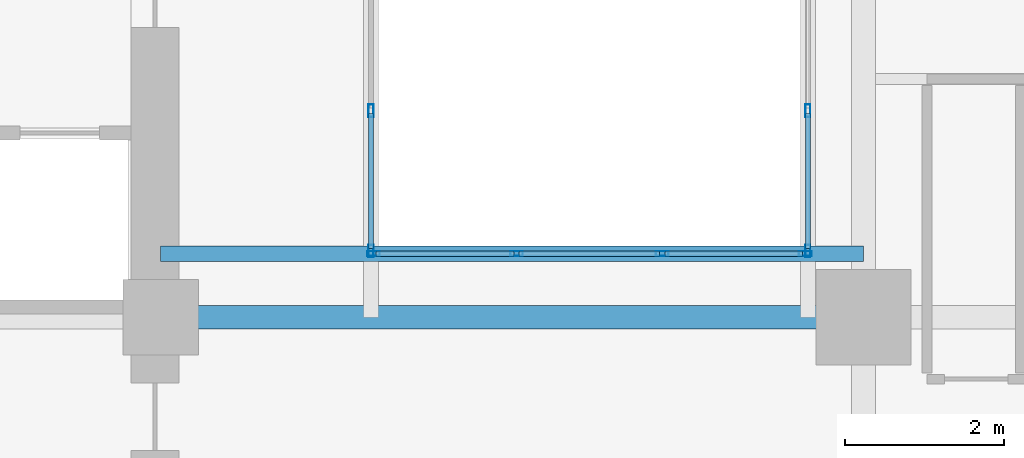
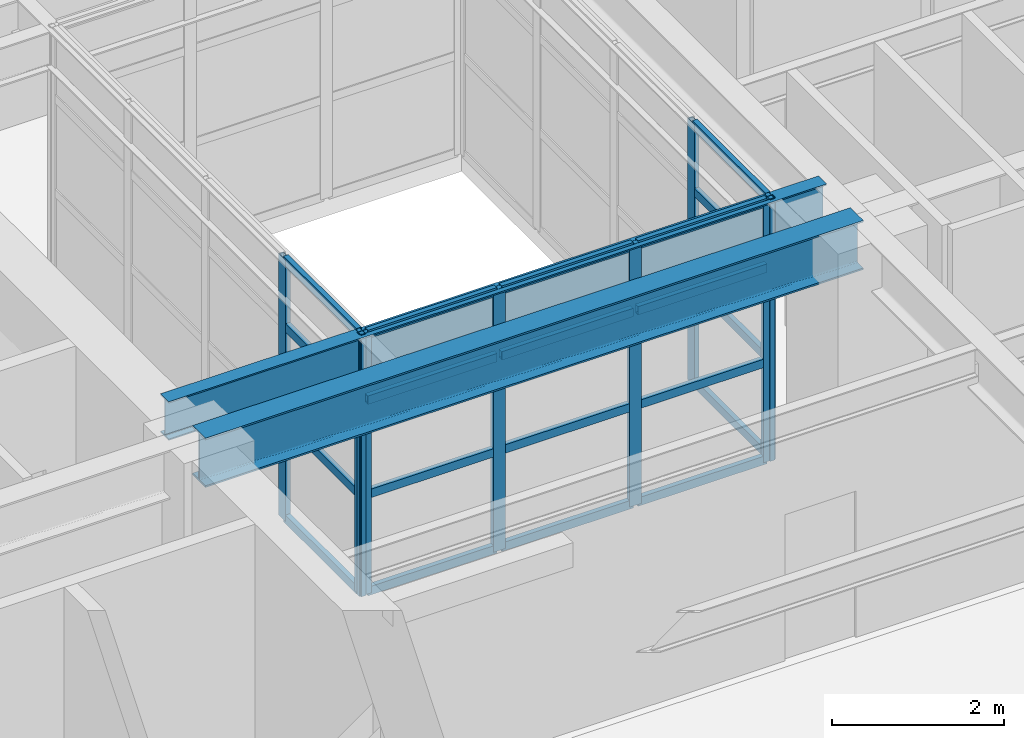
# One storey, part 2 of 17: 28 members, 2 beams, 3 elements without a shape of their own.
"""IFC4 building model written with IfcOpenShell, lengths in metres."""

from ifc_helpers import new_model, si_unit, direction, frame, origin, origin_2d, place, context, subcontext, project, spatial, hollow_rectangle, i_section, extrude, material, layer, layer_set, material_profile, profile_set, type_object, element, aggregate, save


model = new_model("IFC4")

# Units and contexts
model_context = context("Model", 3, precision=1e-05, world=origin(), true_north=direction((0.0, 1.0)))
body_context = subcontext(model_context, "Body", "Model", "MODEL_VIEW")
ifc_project = project(units=[si_unit("LENGTHUNIT", "METRE"), si_unit("AREAUNIT", "SQUARE_METRE"), si_unit("VOLUMEUNIT", "CUBIC_METRE"), si_unit("PLANEANGLEUNIT", "RADIAN"), si_unit("MASSUNIT", "GRAM", prefix="KILO")], contexts=[model_context])

# Site, building, storey
site_placement = place(None, origin())
site = spatial("IfcSite", under=ifc_project, at=site_placement, CompositionType="ELEMENT")
building_placement = place(site_placement, origin())
building = spatial("IfcBuilding", under=site, at=building_placement, Name="Kundavana Baori Tower", CompositionType="ELEMENT")
storey_placement = place(building_placement, frame((0.0, 0.0, 30.0)))
storey = spatial("IfcBuildingStorey", under=building, at=storey_placement, Name="L06", CompositionType="ELEMENT", Elevation=30.0)

# Beams
ifc_material_1 = material(Name="Structural Steel S355JR", Category="steel")
ifc_material_profile_1 = material_profile(ifc_material_1, i_section(OverallWidth=0.18994140625, OverallDepth=0.550048828125, WebThickness=0.01123046875, FlangeThickness=0.019287109375, FilletRadius=0.01806640625, at=origin_2d()), Name="ISMB 550")
ifc_profile_set_1 = profile_set([ifc_material_profile_1], Name="Structural Steel S355JR")
beam_type_1 = type_object("IfcBeamType", Name="BM-ST-550", PredefinedType="BEAM", material=ifc_profile_set_1)
beam_1_placement = place(storey_placement, frame((24.949951171875, 25.0, 3.445068359375), z_axis=(1.0, 0.0, 0.0), x_axis=(0.0, 1.0, 0.0)))
element("IfcBeam", 1, at=beam_1_placement, inside=storey, type_object=beam_type_1, Name="L06 Atrium South Edge Beam", PredefinedType="BEAM", context=body_context, shape_type="SweptSolid", body=[
    extrude(i_section(OverallWidth=0.18994140625, OverallDepth=0.550048828125, WebThickness=0.01123046875, FlangeThickness=0.019287109375, FilletRadius=0.01806640625, at=origin_2d()), origin(), (0.0, 0.0, 1.0), 8.85009765625),
])
ifc_material_2 = material(Name="Structural Steel S355JR", Category="steel")
ifc_material_profile_2 = material_profile(ifc_material_2, i_section(OverallWidth=0.300048828125, OverallDepth=0.699951171875, WebThickness=0.014404296875, FlangeThickness=0.02392578125, FilletRadius=0.02392578125, at=origin_2d()), Name="NPB 700x300x170")
ifc_profile_set_2 = profile_set([ifc_material_profile_2], Name="Structural Steel S355JR")
beam_type_2 = type_object("IfcBeamType", Name="BM-ST-700", PredefinedType="BEAM", material=ifc_profile_set_2)
beam_2_placement = place(storey_placement, frame((24.949951171875, 24.199951171875, 3.3701171875), z_axis=(1.0, 0.0, 0.0), x_axis=(0.0, 1.0, 0.0)))
element("IfcBeam", 2, at=beam_2_placement, inside=storey, type_object=beam_type_2, Name="L06 Primary Grid Girder GX-2-2", PredefinedType="BEAM", context=body_context, shape_type="SweptSolid", body=[
    extrude(i_section(OverallWidth=0.300048828125, OverallDepth=0.699951171875, WebThickness=0.014404296875, FlangeThickness=0.02392578125, FilletRadius=0.02392578125, at=origin_2d()), origin(), (0.0, 0.0, 1.0), 8.85009765625),
])

# Curtain wall, members
ifc_material_3 = material(Name="Thermally Broken Anodised Aluminium Framing", Category="aluminium")
ifc_layer = layer(ifc_material_3, 0.18994140625, Name="CW-SYS-3")
ifc_layer_set = layer_set([ifc_layer], Name="Thermally Broken Anodised Aluminium Framing")
curtain_wall_type = type_object("IfcCurtainWallType", Name="CW-SYS-3", PredefinedType="NOTDEFINED", material=ifc_layer_set)
curtain_wall_1_placement = place(storey_placement, origin())
curtain_wall_1 = element("IfcCurtainWall", 3, at=curtain_wall_1_placement, inside=storey, type_object=curtain_wall_type, Name="L06 Atrium Glazed Curtain Wall S", PredefinedType="NOTDEFINED")
ifc_material_4 = material(Name="Thermally Broken Anodised Aluminium Framing", Category="aluminium")
ifc_material_profile_3 = material_profile(ifc_material_4, hollow_rectangle(XDim=0.06494140625, YDim=0.159912109375, WallThickness=0.00390625, at=origin_2d()), Name="CW-MULL-160")
ifc_profile_set_3 = profile_set([ifc_material_profile_3], Name="Thermally Broken Anodised Aluminium Framing")
member_type_1 = type_object("IfcMemberType", Name="CW-MULL-160", PredefinedType="MULLION", material=ifc_profile_set_3)
member_1_placement = place(storey_placement, frame((27.632568359375, 25.0, 0.0), z_axis=(0.0, 0.0, 1.0), x_axis=(0.0, 1.0, 0.0)))
member_1 = element("IfcMember", 4, at=member_1_placement, type_object=member_type_1, Name="CW3 mullion 1", PredefinedType="MULLION", context=body_context, shape_type="SweptSolid", body=[
    extrude(hollow_rectangle(XDim=0.06494140625, YDim=0.159912109375, WallThickness=0.00390625, at=origin_2d()), origin(), (0.0, 0.0, 1.0), 3.719970703125),
])
member_2_placement = place(storey_placement, frame((29.433349609375, 25.0, 0.0), z_axis=(0.0, 0.0, 1.0), x_axis=(0.0, 1.0, 0.0)))
member_2 = element("IfcMember", 5, at=member_2_placement, type_object=member_type_1, Name="CW3 mullion 2", PredefinedType="MULLION", context=body_context, shape_type="SweptSolid", body=[
    extrude(hollow_rectangle(XDim=0.06494140625, YDim=0.159912109375, WallThickness=0.00390625, at=origin_2d()), origin(), (0.0, 0.0, 1.0), 3.719970703125),
])
member_3_placement = place(storey_placement, frame((31.2666015625, 25.0, 0.0), z_axis=(0.0, 0.0, 1.0), x_axis=(0.0, 1.0, 0.0)))
member_3 = element("IfcMember", 6, at=member_3_placement, type_object=member_type_1, Name="CW3 mullion 3", PredefinedType="MULLION", context=body_context, shape_type="SweptSolid", body=[
    extrude(hollow_rectangle(XDim=0.06494140625, YDim=0.159912109375, WallThickness=0.00390625, at=origin_2d()), origin(), (0.0, 0.0, 1.0), 3.719970703125),
])
member_4_placement = place(storey_placement, frame((33.0673828125, 25.0, 0.0), z_axis=(0.0, 0.0, 1.0), x_axis=(0.0, 1.0, 0.0)))
member_4 = element("IfcMember", 7, at=member_4_placement, type_object=member_type_1, Name="CW3 mullion 4", PredefinedType="MULLION", context=body_context, shape_type="SweptSolid", body=[
    extrude(hollow_rectangle(XDim=0.06494140625, YDim=0.159912109375, WallThickness=0.00390625, at=origin_2d()), origin(), (0.0, 0.0, 1.0), 3.719970703125),
])

curtain_wall_2_placement = place(storey_placement, origin())
curtain_wall_2 = element("IfcCurtainWall", 8, at=curtain_wall_2_placement, inside=storey, type_object=curtain_wall_type, Name="L06 Atrium Glazed Curtain Wall E", PredefinedType="NOTDEFINED")
member_5_placement = place(storey_placement, frame((33.10009765625, 25.032470703125, 0.0), z_axis=(0.0, 0.0, 1.0), x_axis=(-1.0, 0.0, 0.0)))
member_5 = element("IfcMember", 9, at=member_5_placement, type_object=member_type_1, Name="CW3 mullion 1", PredefinedType="MULLION", context=body_context, shape_type="SweptSolid", body=[
    extrude(hollow_rectangle(XDim=0.06494140625, YDim=0.159912109375, WallThickness=0.00390625, at=origin_2d()), origin(), (0.0, 0.0, 1.0), 3.719970703125),
])
member_6_placement = place(storey_placement, frame((33.10009765625, 26.800048828125, 0.0), z_axis=(0.0, 0.0, 1.0), x_axis=(-1.0, 0.0, 0.0)))
member_6 = element("IfcMember", 10, at=member_6_placement, type_object=member_type_1, Name="CW3 mullion 2", PredefinedType="MULLION", context=body_context, shape_type="SweptSolid", body=[
    extrude(hollow_rectangle(XDim=0.06494140625, YDim=0.159912109375, WallThickness=0.00390625, at=origin_2d()), origin(), (0.0, 0.0, 1.0), 3.719970703125),
])

curtain_wall_3_placement = place(storey_placement, origin())
curtain_wall_3 = element("IfcCurtainWall", 11, at=curtain_wall_3_placement, inside=storey, type_object=curtain_wall_type, Name="L06 Atrium Glazed Curtain Wall W", PredefinedType="NOTDEFINED")
member_7_placement = place(storey_placement, frame((27.60009765625, 26.800048828125, 0.0), z_axis=(0.0, 0.0, 1.0), x_axis=(1.0, 0.0, 0.0)))
member_7 = element("IfcMember", 12, at=member_7_placement, type_object=member_type_1, Name="CW3 mullion 4", PredefinedType="MULLION", context=body_context, shape_type="SweptSolid", body=[
    extrude(hollow_rectangle(XDim=0.06494140625, YDim=0.159912109375, WallThickness=0.00390625, at=origin_2d()), origin(), (0.0, 0.0, 1.0), 3.719970703125),
])
member_8_placement = place(storey_placement, frame((27.60009765625, 25.032470703125, 0.0), z_axis=(0.0, 0.0, 1.0), x_axis=(1.0, 0.0, 0.0)))
member_8 = element("IfcMember", 13, at=member_8_placement, type_object=member_type_1, Name="CW3 mullion 5", PredefinedType="MULLION", context=body_context, shape_type="SweptSolid", body=[
    extrude(hollow_rectangle(XDim=0.06494140625, YDim=0.159912109375, WallThickness=0.00390625, at=origin_2d()), origin(), (0.0, 0.0, 1.0), 3.719970703125),
])

# Member
ifc_material_5 = material(Name="Thermally Broken Anodised Aluminium Framing", Category="aluminium")
ifc_material_profile_4 = material_profile(ifc_material_5, hollow_rectangle(XDim=0.06494140625, YDim=0.1201171875, WallThickness=0.00390625, at=origin_2d()), Name="CW-TRAN-120")
ifc_profile_set_4 = profile_set([ifc_material_profile_4], Name="Thermally Broken Anodised Aluminium Framing")
member_type_2 = type_object("IfcMemberType", Name="CW-TRAN-120", PredefinedType="USERDEFINED", material=ifc_profile_set_4)
member_9_placement = place(storey_placement, frame((27.6650390625, 25.0, 0.032470703125), z_axis=(1.0, 0.0, 0.0), x_axis=(0.0, 1.0, 0.0)))
member_9 = element("IfcMember", 14, at=member_9_placement, type_object=member_type_2, Name="CW3 transom 1.1", ObjectType="TRANSOM", PredefinedType="USERDEFINED", context=body_context, shape_type="SweptSolid", body=[
    extrude(hollow_rectangle(XDim=0.06494140625, YDim=0.1201171875, WallThickness=0.00390625, at=origin_2d()), origin(), (0.0, 0.0, 1.0), 1.73583984375),
])

member_10_placement = place(storey_placement, frame((27.6650390625, 25.0, 1.41357421875), z_axis=(1.0, 0.0, 0.0), x_axis=(0.0, 1.0, 0.0)))
member_10 = element("IfcMember", 15, at=member_10_placement, type_object=member_type_2, Name="CW3 transom 1.2", ObjectType="TRANSOM", PredefinedType="USERDEFINED", context=body_context, shape_type="SweptSolid", body=[
    extrude(hollow_rectangle(XDim=0.06494140625, YDim=0.1201171875, WallThickness=0.00390625, at=origin_2d()), origin(), (0.0, 0.0, 1.0), 1.73583984375),
])

member_11_placement = place(storey_placement, frame((27.6650390625, 25.0, 2.752685546875), z_axis=(1.0, 0.0, 0.0), x_axis=(0.0, 1.0, 0.0)))
member_11 = element("IfcMember", 16, at=member_11_placement, type_object=member_type_2, Name="CW3 transom 1.3", ObjectType="TRANSOM", PredefinedType="USERDEFINED", context=body_context, shape_type="SweptSolid", body=[
    extrude(hollow_rectangle(XDim=0.06494140625, YDim=0.1201171875, WallThickness=0.00390625, at=origin_2d()), origin(), (0.0, 0.0, 1.0), 1.73583984375),
])

member_12_placement = place(storey_placement, frame((27.6650390625, 25.0, 3.6875), z_axis=(1.0, 0.0, 0.0), x_axis=(0.0, 1.0, 0.0)))
member_12 = element("IfcMember", 17, at=member_12_placement, type_object=member_type_2, Name="CW3 transom 1.4", ObjectType="TRANSOM", PredefinedType="USERDEFINED", context=body_context, shape_type="SweptSolid", body=[
    extrude(hollow_rectangle(XDim=0.06494140625, YDim=0.1201171875, WallThickness=0.00390625, at=origin_2d()), origin(), (0.0, 0.0, 1.0), 1.73583984375),
])

member_13_placement = place(storey_placement, frame((29.4658203125, 25.0, 0.032470703125), z_axis=(1.0, 0.0, 0.0), x_axis=(0.0, 1.0, 0.0)))
member_13 = element("IfcMember", 18, at=member_13_placement, type_object=member_type_2, Name="CW3 transom 2.1", ObjectType="TRANSOM", PredefinedType="USERDEFINED", context=body_context, shape_type="SweptSolid", body=[
    extrude(hollow_rectangle(XDim=0.06494140625, YDim=0.1201171875, WallThickness=0.00390625, at=origin_2d()), origin(), (0.0, 0.0, 1.0), 1.768310546875),
])

member_14_placement = place(storey_placement, frame((29.4658203125, 25.0, 1.41357421875), z_axis=(1.0, 0.0, 0.0), x_axis=(0.0, 1.0, 0.0)))
member_14 = element("IfcMember", 19, at=member_14_placement, type_object=member_type_2, Name="CW3 transom 2.2", ObjectType="TRANSOM", PredefinedType="USERDEFINED", context=body_context, shape_type="SweptSolid", body=[
    extrude(hollow_rectangle(XDim=0.06494140625, YDim=0.1201171875, WallThickness=0.00390625, at=origin_2d()), origin(), (0.0, 0.0, 1.0), 1.768310546875),
])

member_15_placement = place(storey_placement, frame((29.4658203125, 25.0, 2.752685546875), z_axis=(1.0, 0.0, 0.0), x_axis=(0.0, 1.0, 0.0)))
member_15 = element("IfcMember", 20, at=member_15_placement, type_object=member_type_2, Name="CW3 transom 2.3", ObjectType="TRANSOM", PredefinedType="USERDEFINED", context=body_context, shape_type="SweptSolid", body=[
    extrude(hollow_rectangle(XDim=0.06494140625, YDim=0.1201171875, WallThickness=0.00390625, at=origin_2d()), origin(), (0.0, 0.0, 1.0), 1.768310546875),
])

member_16_placement = place(storey_placement, frame((29.4658203125, 25.0, 3.6875), z_axis=(1.0, 0.0, 0.0), x_axis=(0.0, 1.0, 0.0)))
member_16 = element("IfcMember", 21, at=member_16_placement, type_object=member_type_2, Name="CW3 transom 2.4", ObjectType="TRANSOM", PredefinedType="USERDEFINED", context=body_context, shape_type="SweptSolid", body=[
    extrude(hollow_rectangle(XDim=0.06494140625, YDim=0.1201171875, WallThickness=0.00390625, at=origin_2d()), origin(), (0.0, 0.0, 1.0), 1.768310546875),
])

member_17_placement = place(storey_placement, frame((31.299072265625, 25.0, 0.032470703125), z_axis=(1.0, 0.0, 0.0), x_axis=(0.0, 1.0, 0.0)))
member_17 = element("IfcMember", 22, at=member_17_placement, type_object=member_type_2, Name="CW3 transom 3.1", ObjectType="TRANSOM", PredefinedType="USERDEFINED", context=body_context, shape_type="SweptSolid", body=[
    extrude(hollow_rectangle(XDim=0.06494140625, YDim=0.1201171875, WallThickness=0.00390625, at=origin_2d()), origin(), (0.0, 0.0, 1.0), 1.73583984375),
])

member_18_placement = place(storey_placement, frame((31.299072265625, 25.0, 1.41357421875), z_axis=(1.0, 0.0, 0.0), x_axis=(0.0, 1.0, 0.0)))
member_18 = element("IfcMember", 23, at=member_18_placement, type_object=member_type_2, Name="CW3 transom 3.2", ObjectType="TRANSOM", PredefinedType="USERDEFINED", context=body_context, shape_type="SweptSolid", body=[
    extrude(hollow_rectangle(XDim=0.06494140625, YDim=0.1201171875, WallThickness=0.00390625, at=origin_2d()), origin(), (0.0, 0.0, 1.0), 1.73583984375),
])

member_19_placement = place(storey_placement, frame((31.299072265625, 25.0, 2.752685546875), z_axis=(1.0, 0.0, 0.0), x_axis=(0.0, 1.0, 0.0)))
member_19 = element("IfcMember", 24, at=member_19_placement, type_object=member_type_2, Name="CW3 transom 3.3", ObjectType="TRANSOM", PredefinedType="USERDEFINED", context=body_context, shape_type="SweptSolid", body=[
    extrude(hollow_rectangle(XDim=0.06494140625, YDim=0.1201171875, WallThickness=0.00390625, at=origin_2d()), origin(), (0.0, 0.0, 1.0), 1.73583984375),
])

member_20_placement = place(storey_placement, frame((31.299072265625, 25.0, 3.6875), z_axis=(1.0, 0.0, 0.0), x_axis=(0.0, 1.0, 0.0)))
member_20 = element("IfcMember", 25, at=member_20_placement, type_object=member_type_2, Name="CW3 transom 3.4", ObjectType="TRANSOM", PredefinedType="USERDEFINED", context=body_context, shape_type="SweptSolid", body=[
    extrude(hollow_rectangle(XDim=0.06494140625, YDim=0.1201171875, WallThickness=0.00390625, at=origin_2d()), origin(), (0.0, 0.0, 1.0), 1.73583984375),
])

aggregate(curtain_wall_1, [member_1, member_2, member_3, member_4, member_9, member_10, member_11, member_12, member_13, member_14, member_15, member_16, member_17, member_18, member_19, member_20])

member_21_placement = place(storey_placement, frame((33.10009765625, 25.06494140625, 0.032470703125), z_axis=(0.0, 1.0, 0.0), x_axis=(-1.0, 0.0, 0.0)))
member_21 = element("IfcMember", 26, at=member_21_placement, type_object=member_type_2, Name="CW3 transom 1.1", ObjectType="TRANSOM", PredefinedType="USERDEFINED", context=body_context, shape_type="SweptSolid", body=[
    extrude(hollow_rectangle(XDim=0.06494140625, YDim=0.1201171875, WallThickness=0.00390625, at=origin_2d()), origin(), (0.0, 0.0, 1.0), 1.70263671875),
])

member_22_placement = place(storey_placement, frame((33.10009765625, 25.06494140625, 1.41357421875), z_axis=(0.0, 1.0, 0.0), x_axis=(-1.0, 0.0, 0.0)))
member_22 = element("IfcMember", 27, at=member_22_placement, type_object=member_type_2, Name="CW3 transom 1.2", ObjectType="TRANSOM", PredefinedType="USERDEFINED", context=body_context, shape_type="SweptSolid", body=[
    extrude(hollow_rectangle(XDim=0.06494140625, YDim=0.1201171875, WallThickness=0.00390625, at=origin_2d()), origin(), (0.0, 0.0, 1.0), 1.70263671875),
])

member_23_placement = place(storey_placement, frame((33.10009765625, 25.06494140625, 2.752685546875), z_axis=(0.0, 1.0, 0.0), x_axis=(-1.0, 0.0, 0.0)))
member_23 = element("IfcMember", 28, at=member_23_placement, type_object=member_type_2, Name="CW3 transom 1.3", ObjectType="TRANSOM", PredefinedType="USERDEFINED", context=body_context, shape_type="SweptSolid", body=[
    extrude(hollow_rectangle(XDim=0.06494140625, YDim=0.1201171875, WallThickness=0.00390625, at=origin_2d()), origin(), (0.0, 0.0, 1.0), 1.70263671875),
])

member_24_placement = place(storey_placement, frame((33.10009765625, 25.06494140625, 3.6875), z_axis=(0.0, 1.0, 0.0), x_axis=(-1.0, 0.0, 0.0)))
member_24 = element("IfcMember", 29, at=member_24_placement, type_object=member_type_2, Name="CW3 transom 1.4", ObjectType="TRANSOM", PredefinedType="USERDEFINED", context=body_context, shape_type="SweptSolid", body=[
    extrude(hollow_rectangle(XDim=0.06494140625, YDim=0.1201171875, WallThickness=0.00390625, at=origin_2d()), origin(), (0.0, 0.0, 1.0), 1.70263671875),
])

aggregate(curtain_wall_2, [member_5, member_6, member_21, member_22, member_23, member_24])

member_25_placement = place(storey_placement, frame((27.60009765625, 26.767578125, 0.032470703125), z_axis=(0.0, -1.0, 0.0), x_axis=(1.0, 0.0, 0.0)))
member_25 = element("IfcMember", 30, at=member_25_placement, type_object=member_type_2, Name="CW3 transom 4.1", ObjectType="TRANSOM", PredefinedType="USERDEFINED", context=body_context, shape_type="SweptSolid", body=[
    extrude(hollow_rectangle(XDim=0.06494140625, YDim=0.1201171875, WallThickness=0.00390625, at=origin_2d()), origin(), (0.0, 0.0, 1.0), 1.70263671875),
])

member_26_placement = place(storey_placement, frame((27.60009765625, 26.767578125, 1.41357421875), z_axis=(0.0, -1.0, 0.0), x_axis=(1.0, 0.0, 0.0)))
member_26 = element("IfcMember", 31, at=member_26_placement, type_object=member_type_2, Name="CW3 transom 4.2", ObjectType="TRANSOM", PredefinedType="USERDEFINED", context=body_context, shape_type="SweptSolid", body=[
    extrude(hollow_rectangle(XDim=0.06494140625, YDim=0.1201171875, WallThickness=0.00390625, at=origin_2d()), origin(), (0.0, 0.0, 1.0), 1.70263671875),
])

member_27_placement = place(storey_placement, frame((27.60009765625, 26.767578125, 2.752685546875), z_axis=(0.0, -1.0, 0.0), x_axis=(1.0, 0.0, 0.0)))
member_27 = element("IfcMember", 32, at=member_27_placement, type_object=member_type_2, Name="CW3 transom 4.3", ObjectType="TRANSOM", PredefinedType="USERDEFINED", context=body_context, shape_type="SweptSolid", body=[
    extrude(hollow_rectangle(XDim=0.06494140625, YDim=0.1201171875, WallThickness=0.00390625, at=origin_2d()), origin(), (0.0, 0.0, 1.0), 1.70263671875),
])

member_28_placement = place(storey_placement, frame((27.60009765625, 26.767578125, 3.6875), z_axis=(0.0, -1.0, 0.0), x_axis=(1.0, 0.0, 0.0)))
member_28 = element("IfcMember", 33, at=member_28_placement, type_object=member_type_2, Name="CW3 transom 4.4", ObjectType="TRANSOM", PredefinedType="USERDEFINED", context=body_context, shape_type="SweptSolid", body=[
    extrude(hollow_rectangle(XDim=0.06494140625, YDim=0.1201171875, WallThickness=0.00390625, at=origin_2d()), origin(), (0.0, 0.0, 1.0), 1.70263671875),
])

aggregate(curtain_wall_3, [member_7, member_8, member_25, member_26, member_27, member_28])

save(model, "model.ifc")
